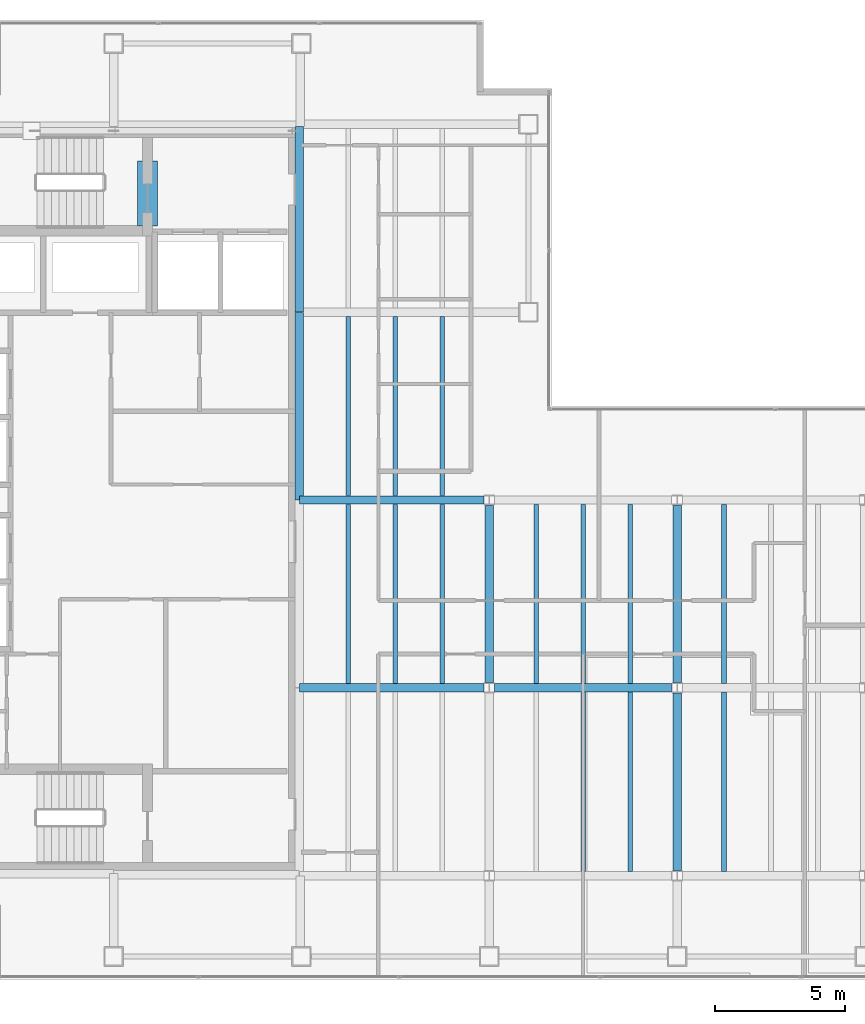
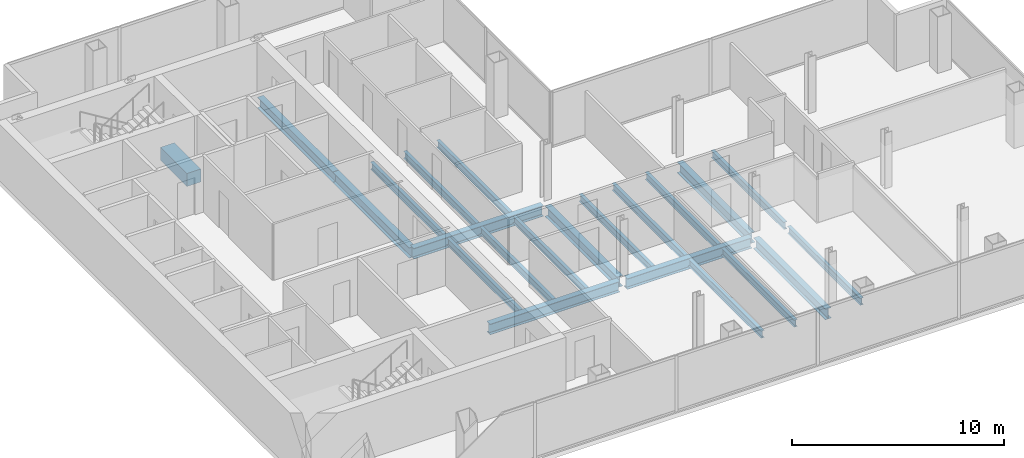
# One storey, part 7 of 23: 22 beams.
"""IFC4 building model written with IfcOpenShell, lengths in metres."""

from ifc_helpers import new_model, si_unit, direction, frame, origin, origin_2d, place, context, subcontext, project, spatial, rectangle, i_section, extrude, material, material_profile, profile_set, type_object, element, save


model = new_model("IFC4")

# Units and contexts
model_context = context("Model", 3, precision=1e-05, world=origin(), true_north=direction((0.0, 1.0)))
body_context = subcontext(model_context, "Body", "Model", "MODEL_VIEW")
ifc_project = project(units=[si_unit("LENGTHUNIT", "METRE"), si_unit("AREAUNIT", "SQUARE_METRE"), si_unit("VOLUMEUNIT", "CUBIC_METRE"), si_unit("PLANEANGLEUNIT", "RADIAN"), si_unit("MASSUNIT", "GRAM", prefix="KILO")], contexts=[model_context])

# Site, building, storey
site_placement = place(None, origin())
site = spatial("IfcSite", under=ifc_project, at=site_placement, CompositionType="ELEMENT")
building_placement = place(site_placement, origin())
building = spatial("IfcBuilding", under=site, at=building_placement, Name="Cobrela Telecom Tower", CompositionType="ELEMENT")
storey_placement = place(building_placement, frame((0.0, 0.0, 208.25)))
storey = spatial("IfcBuildingStorey", under=building, at=storey_placement, Name="L53", CompositionType="ELEMENT", Elevation=208.25)

# Beams
ifc_material_1 = material(Name="Concrete C40/50", Category="concrete")
ifc_material_profile_1 = material_profile(ifc_material_1, rectangle(XDim=0.75, YDim=0.75, at=origin_2d()), Name="RC 750x750")
ifc_profile_set_1 = profile_set([ifc_material_profile_1], Name="Concrete C40/50")
beam_type_1 = type_object("IfcBeamType", Name="BM-COUP-RC", PredefinedType="LINTEL", material=ifc_profile_set_1)
beam_1_placement = place(storey_placement, frame((8.5, 32.10009765625, -0.610107421875), z_axis=(0.0, 1.0, 0.0), x_axis=(-1.0, 0.0, 0.0)))
element("IfcBeam", 1, at=beam_1_placement, inside=storey, type_object=beam_type_1, Name="L53 Core Coupling Lintel Beam", PredefinedType="LINTEL", context=body_context, shape_type="SweptSolid", body=[
    extrude(rectangle(XDim=0.75, YDim=0.75, at=origin_2d()), origin(), (0.0, 0.0, 1.0), 2.5),
])
ifc_material_2 = material(Name="Steel ASTM A992 Grade 50", Category="steel")
ifc_material_profile_2 = material_profile(ifc_material_2, i_section(OverallWidth=0.324951171875, OverallDepth=0.612060546875, WebThickness=0.0126953125, FlangeThickness=0.01904296875, FilletRadius=0.014892578125, at=origin_2d()), Name="W24X104")
ifc_profile_set_2 = profile_set([ifc_material_profile_2], Name="Steel ASTM A992 Grade 50")
beam_type_2 = type_object("IfcBeamType", Name="BM-GIRD-07", PredefinedType="USERDEFINED", material=ifc_profile_set_2)
beam_2_placement = place(storey_placement, frame((14.324951171875, 14.39990234375, -0.56591796875), z_axis=(1.0, 0.0, 0.0), x_axis=(0.0, 1.0, 0.0)))
element("IfcBeam", 2, at=beam_2_placement, inside=storey, type_object=beam_type_2, Name="L53 Primary Girder X11", ObjectType="GIRDER", PredefinedType="USERDEFINED", context=body_context, shape_type="SweptSolid", body=[
    extrude(i_section(OverallWidth=0.324951171875, OverallDepth=0.612060546875, WebThickness=0.0126953125, FlangeThickness=0.01904296875, FilletRadius=0.014892578125, at=origin_2d()), origin(), (0.0, 0.0, 1.0), 7.070556640625),
])
beam_3_placement = place(storey_placement, frame((21.804443359375, 14.39990234375, -0.56591796875), z_axis=(1.0, 0.0, 0.0), x_axis=(0.0, 1.0, 0.0)))
element("IfcBeam", 3, at=beam_3_placement, inside=storey, type_object=beam_type_2, Name="L53 Primary Girder X12", ObjectType="GIRDER", PredefinedType="USERDEFINED", context=body_context, shape_type="SweptSolid", body=[
    extrude(i_section(OverallWidth=0.324951171875, OverallDepth=0.612060546875, WebThickness=0.0126953125, FlangeThickness=0.01904296875, FilletRadius=0.014892578125, at=origin_2d()), origin(), (0.0, 0.0, 1.0), 6.791015625),
])
beam_4_placement = place(storey_placement, frame((14.324951171875, 21.60009765625, -0.56591796875), z_axis=(1.0, 0.0, 0.0), x_axis=(0.0, 1.0, 0.0)))
element("IfcBeam", 4, at=beam_4_placement, inside=storey, type_object=beam_type_2, Name="L53 Primary Girder X15", ObjectType="GIRDER", PredefinedType="USERDEFINED", context=body_context, shape_type="SweptSolid", body=[
    extrude(i_section(OverallWidth=0.324951171875, OverallDepth=0.612060546875, WebThickness=0.0126953125, FlangeThickness=0.01904296875, FilletRadius=0.014892578125, at=origin_2d()), origin(), (0.0, 0.0, 1.0), 7.070556640625),
])
beam_5_placement = place(storey_placement, frame((14.320068359375, 21.60498046875, -0.56591796875), z_axis=(0.0, 1.0, 0.0), x_axis=(-1.0, 0.0, 0.0)))
element("IfcBeam", 5, at=beam_5_placement, inside=storey, type_object=beam_type_2, Name="L53 Primary Girder Y29", ObjectType="GIRDER", PredefinedType="USERDEFINED", context=body_context, shape_type="SweptSolid", body=[
    extrude(i_section(OverallWidth=0.324951171875, OverallDepth=0.612060546875, WebThickness=0.0126953125, FlangeThickness=0.01904296875, FilletRadius=0.014892578125, at=origin_2d()), origin(), (0.0, 0.0, 1.0), 7.18994140625),
])
beam_6_placement = place(storey_placement, frame((14.320068359375, 28.804931640625, -0.56591796875), z_axis=(0.0, 1.0, 0.0), x_axis=(-1.0, 0.0, 0.0)))
element("IfcBeam", 6, at=beam_6_placement, inside=storey, type_object=beam_type_2, Name="L53 Primary Girder Y30", ObjectType="GIRDER", PredefinedType="USERDEFINED", context=body_context, shape_type="SweptSolid", body=[
    extrude(i_section(OverallWidth=0.324951171875, OverallDepth=0.612060546875, WebThickness=0.0126953125, FlangeThickness=0.01904296875, FilletRadius=0.014892578125, at=origin_2d()), origin(), (0.0, 0.0, 1.0), 7.110107421875),
])
for number, where, z_axis, x_axis, name in (
    (7, (21.60009765625, 14.6044921875, -0.56591796875), (0.0, 1.0, 0.0), (-1.0, 0.0, 0.0), "L53 Primary Girder Y34"),
    (8, (28.800048828125, 7.404541015625, -0.56591796875), (0.0, 1.0, 0.0), (-1.0, 0.0, 0.0), "L53 Primary Girder Y37"),
    (9, (28.800048828125, 14.6044921875, -0.56591796875), (0.0, 1.0, 0.0), (-1.0, 0.0, 0.0), "L53 Primary Girder Y38"),
):
    element("IfcBeam", number, at=place(storey_placement, frame(where, z_axis=z_axis, x_axis=x_axis)), inside=storey, type_object=beam_type_2, Name=name, ObjectType="GIRDER", PredefinedType="USERDEFINED", context=body_context, shape_type="SweptSolid", body=[
        extrude(i_section(OverallWidth=0.324951171875, OverallDepth=0.612060546875, WebThickness=0.0126953125, FlangeThickness=0.01904296875, FilletRadius=0.014892578125, at=origin_2d()), origin(), (0.0, 0.0, 1.0), 6.791015625),
    ])
ifc_material_profile_3 = material_profile(ifc_material_2, i_section(OverallWidth=0.179931640625, OverallDepth=0.4169921875, WebThickness=0.010986328125, FlangeThickness=0.01806640625, FilletRadius=0.011962890625, at=origin_2d()), Name="W16X57")
ifc_profile_set_3 = profile_set([ifc_material_profile_3], Name="Steel ASTM A992 Grade 50")
beam_type_3 = type_object("IfcBeamType", Name="BM-JOIST-04", PredefinedType="JOIST", material=ifc_profile_set_3)
beam_7_placement = place(storey_placement, frame((16.199951171875, 14.5673828125, -0.468505859375), z_axis=(0.0, 1.0, 0.0), x_axis=(-1.0, 0.0, 0.0)))
element("IfcBeam", 10, at=beam_7_placement, inside=storey, type_object=beam_type_3, Name="L53 Secondary Composite Floor Beam J02", PredefinedType="JOIST", context=body_context, shape_type="SweptSolid", body=[
    extrude(i_section(OverallWidth=0.179931640625, OverallDepth=0.4169921875, WebThickness=0.010986328125, FlangeThickness=0.01806640625, FilletRadius=0.011962890625, at=origin_2d()), origin(), (0.0, 0.0, 1.0), 6.865234375),
])
beam_8_placement = place(storey_placement, frame((16.199951171875, 21.767578125, -0.468505859375), z_axis=(0.0, 1.0, 0.0), x_axis=(-1.0, 0.0, 0.0)))
element("IfcBeam", 11, at=beam_8_placement, inside=storey, type_object=beam_type_3, Name="L53 Secondary Composite Floor Beam J03", PredefinedType="JOIST", context=body_context, shape_type="SweptSolid", body=[
    extrude(i_section(OverallWidth=0.179931640625, OverallDepth=0.4169921875, WebThickness=0.010986328125, FlangeThickness=0.01806640625, FilletRadius=0.011962890625, at=origin_2d()), origin(), (0.0, 0.0, 1.0), 6.864990234375),
])
beam_9_placement = place(storey_placement, frame((18.0, 14.5673828125, -0.468505859375), z_axis=(0.0, 1.0, 0.0), x_axis=(-1.0, 0.0, 0.0)))
element("IfcBeam", 12, at=beam_9_placement, inside=storey, type_object=beam_type_3, Name="L53 Secondary Composite Floor Beam J06", PredefinedType="JOIST", context=body_context, shape_type="SweptSolid", body=[
    extrude(i_section(OverallWidth=0.179931640625, OverallDepth=0.4169921875, WebThickness=0.010986328125, FlangeThickness=0.01806640625, FilletRadius=0.011962890625, at=origin_2d()), origin(), (0.0, 0.0, 1.0), 6.865234375),
])
beam_10_placement = place(storey_placement, frame((18.0, 21.767578125, -0.468505859375), z_axis=(0.0, 1.0, 0.0), x_axis=(-1.0, 0.0, 0.0)))
element("IfcBeam", 13, at=beam_10_placement, inside=storey, type_object=beam_type_3, Name="L53 Secondary Composite Floor Beam J07", PredefinedType="JOIST", context=body_context, shape_type="SweptSolid", body=[
    extrude(i_section(OverallWidth=0.179931640625, OverallDepth=0.4169921875, WebThickness=0.010986328125, FlangeThickness=0.01806640625, FilletRadius=0.011962890625, at=origin_2d()), origin(), (0.0, 0.0, 1.0), 6.864990234375),
])
beam_11_placement = place(storey_placement, frame((19.800048828125, 14.5673828125, -0.468505859375), z_axis=(0.0, 1.0, 0.0), x_axis=(-1.0, 0.0, 0.0)))
element("IfcBeam", 14, at=beam_11_placement, inside=storey, type_object=beam_type_3, Name="L53 Secondary Composite Floor Beam J10", PredefinedType="JOIST", context=body_context, shape_type="SweptSolid", body=[
    extrude(i_section(OverallWidth=0.179931640625, OverallDepth=0.4169921875, WebThickness=0.010986328125, FlangeThickness=0.01806640625, FilletRadius=0.011962890625, at=origin_2d()), origin(), (0.0, 0.0, 1.0), 6.865234375),
])
beam_12_placement = place(storey_placement, frame((19.800048828125, 21.767578125, -0.468505859375), z_axis=(0.0, 1.0, 0.0), x_axis=(-1.0, 0.0, 0.0)))
element("IfcBeam", 15, at=beam_12_placement, inside=storey, type_object=beam_type_3, Name="L53 Secondary Composite Floor Beam J11", PredefinedType="JOIST", context=body_context, shape_type="SweptSolid", body=[
    extrude(i_section(OverallWidth=0.179931640625, OverallDepth=0.4169921875, WebThickness=0.010986328125, FlangeThickness=0.01806640625, FilletRadius=0.011962890625, at=origin_2d()), origin(), (0.0, 0.0, 1.0), 6.864990234375),
])
beam_13_placement = place(storey_placement, frame((23.39990234375, 14.5673828125, -0.468505859375), z_axis=(0.0, 1.0, 0.0), x_axis=(-1.0, 0.0, 0.0)))
element("IfcBeam", 16, at=beam_13_placement, inside=storey, type_object=beam_type_3, Name="L53 Secondary Composite Floor Beam J14", PredefinedType="JOIST", context=body_context, shape_type="SweptSolid", body=[
    extrude(i_section(OverallWidth=0.179931640625, OverallDepth=0.4169921875, WebThickness=0.010986328125, FlangeThickness=0.01806640625, FilletRadius=0.011962890625, at=origin_2d()), origin(), (0.0, 0.0, 1.0), 6.865234375),
])
beam_14_placement = place(storey_placement, frame((25.199951171875, 7.367431640625, -0.468505859375), z_axis=(0.0, 1.0, 0.0), x_axis=(-1.0, 0.0, 0.0)))
element("IfcBeam", 17, at=beam_14_placement, inside=storey, type_object=beam_type_3, Name="L53 Secondary Composite Floor Beam J15", PredefinedType="JOIST", context=body_context, shape_type="SweptSolid", body=[
    extrude(i_section(OverallWidth=0.179931640625, OverallDepth=0.4169921875, WebThickness=0.010986328125, FlangeThickness=0.01806640625, FilletRadius=0.011962890625, at=origin_2d()), origin(), (0.0, 0.0, 1.0), 6.864990234375),
])
beam_15_placement = place(storey_placement, frame((25.199951171875, 14.5673828125, -0.468505859375), z_axis=(0.0, 1.0, 0.0), x_axis=(-1.0, 0.0, 0.0)))
element("IfcBeam", 18, at=beam_15_placement, inside=storey, type_object=beam_type_3, Name="L53 Secondary Composite Floor Beam J16", PredefinedType="JOIST", context=body_context, shape_type="SweptSolid", body=[
    extrude(i_section(OverallWidth=0.179931640625, OverallDepth=0.4169921875, WebThickness=0.010986328125, FlangeThickness=0.01806640625, FilletRadius=0.011962890625, at=origin_2d()), origin(), (0.0, 0.0, 1.0), 6.865234375),
])
beam_16_placement = place(storey_placement, frame((27.0, 7.367431640625, -0.468505859375), z_axis=(0.0, 1.0, 0.0), x_axis=(-1.0, 0.0, 0.0)))
element("IfcBeam", 19, at=beam_16_placement, inside=storey, type_object=beam_type_3, Name="L53 Secondary Composite Floor Beam J17", PredefinedType="JOIST", context=body_context, shape_type="SweptSolid", body=[
    extrude(i_section(OverallWidth=0.179931640625, OverallDepth=0.4169921875, WebThickness=0.010986328125, FlangeThickness=0.01806640625, FilletRadius=0.011962890625, at=origin_2d()), origin(), (0.0, 0.0, 1.0), 6.864990234375),
])
beam_17_placement = place(storey_placement, frame((27.0, 14.5673828125, -0.468505859375), z_axis=(0.0, 1.0, 0.0), x_axis=(-1.0, 0.0, 0.0)))
element("IfcBeam", 20, at=beam_17_placement, inside=storey, type_object=beam_type_3, Name="L53 Secondary Composite Floor Beam J18", PredefinedType="JOIST", context=body_context, shape_type="SweptSolid", body=[
    extrude(i_section(OverallWidth=0.179931640625, OverallDepth=0.4169921875, WebThickness=0.010986328125, FlangeThickness=0.01806640625, FilletRadius=0.011962890625, at=origin_2d()), origin(), (0.0, 0.0, 1.0), 6.865234375),
])
beam_18_placement = place(storey_placement, frame((30.60009765625, 7.367431640625, -0.468505859375), z_axis=(0.0, 1.0, 0.0), x_axis=(-1.0, 0.0, 0.0)))
element("IfcBeam", 21, at=beam_18_placement, inside=storey, type_object=beam_type_3, Name="L53 Secondary Composite Floor Beam J19", PredefinedType="JOIST", context=body_context, shape_type="SweptSolid", body=[
    extrude(i_section(OverallWidth=0.179931640625, OverallDepth=0.4169921875, WebThickness=0.010986328125, FlangeThickness=0.01806640625, FilletRadius=0.011962890625, at=origin_2d()), origin(), (0.0, 0.0, 1.0), 6.864990234375),
])
beam_19_placement = place(storey_placement, frame((30.60009765625, 14.5673828125, -0.468505859375), z_axis=(0.0, 1.0, 0.0), x_axis=(-1.0, 0.0, 0.0)))
element("IfcBeam", 22, at=beam_19_placement, inside=storey, type_object=beam_type_3, Name="L53 Secondary Composite Floor Beam J20", PredefinedType="JOIST", context=body_context, shape_type="SweptSolid", body=[
    extrude(i_section(OverallWidth=0.179931640625, OverallDepth=0.4169921875, WebThickness=0.010986328125, FlangeThickness=0.01806640625, FilletRadius=0.011962890625, at=origin_2d()), origin(), (0.0, 0.0, 1.0), 6.865234375),
])

save(model, "model.ifc")
